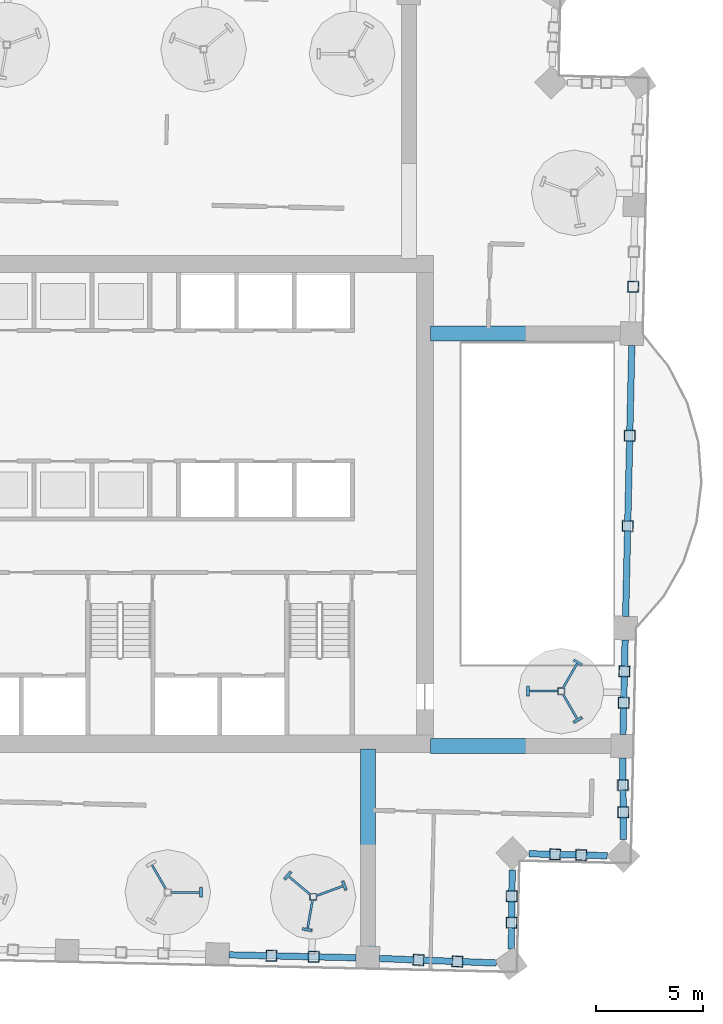
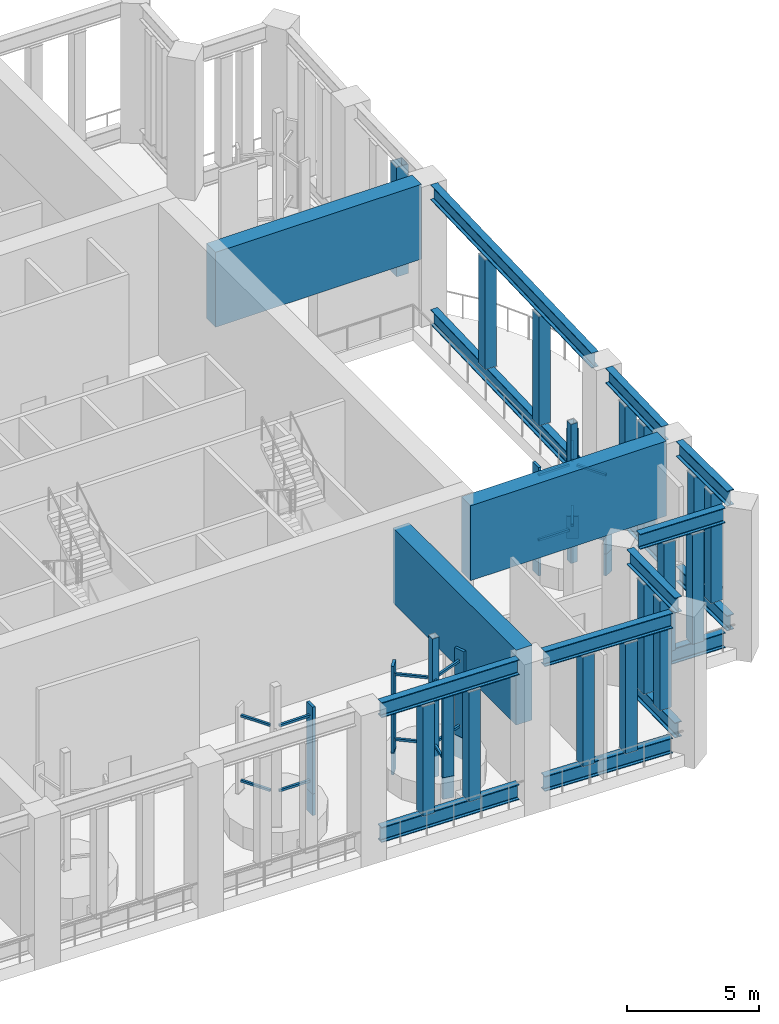
# One storey, part 4 of 33: 61 members, 3 beams.
"""IFC4 building model written with IfcOpenShell, lengths in metres."""

from ifc_helpers import new_model, si_unit, direction, frame, origin, origin_2d, place, context, subcontext, project, spatial, rectangle, hollow_rectangle, i_section, extrude, material, material_profile, profile_set, type_object, element, save


model = new_model("IFC4")

# Units and contexts
model_context = context("Model", 3, precision=1e-05, world=origin(), true_north=direction((0.0, 1.0)))
body_context = subcontext(model_context, "Body", "Model", "MODEL_VIEW")
ifc_project = project(units=[si_unit("LENGTHUNIT", "METRE"), si_unit("AREAUNIT", "SQUARE_METRE"), si_unit("VOLUMEUNIT", "CUBIC_METRE"), si_unit("PLANEANGLEUNIT", "RADIAN"), si_unit("MASSUNIT", "GRAM", prefix="KILO")], contexts=[model_context])

# Site, building, storey
site_placement = place(None, origin())
site = spatial("IfcSite", under=ifc_project, at=site_placement, CompositionType="ELEMENT")
building_placement = place(site_placement, origin())
building = spatial("IfcBuilding", under=site, at=building_placement, Name="Mangrove Gate Tower", CompositionType="ELEMENT")
storey_placement = place(building_placement, frame((0.0, 0.0, 219.5)))
storey = spatial("IfcBuildingStorey", under=building, at=storey_placement, Name="L56", CompositionType="ELEMENT", Elevation=219.5)

# Members
ifc_material_1 = material(Name="Steel S355J2", Category="steel")
ifc_material_profile_1 = material_profile(ifc_material_1, i_section(OverallWidth=0.300048828125, OverallDepth=0.699951171875, WebThickness=0.01708984375, FlangeThickness=0.031982421875, FilletRadius=0.027099609375, at=origin_2d()))
ifc_profile_set_1 = profile_set([ifc_material_profile_1], Name="Steel S355J2")
member_type_1 = type_object("IfcMemberType", Name="Belt truss chord HE 700 B", PredefinedType="CHORD", material=ifc_profile_set_1)
for number, where, z_axis, x_axis, name in (
    (1, (5.060302734375, -21.056640625, 0.35009765625), (0.999740258675, -0.022790681963, 0.0), (0.022790681963, 0.999740258675, 0.0), "Belt truss bottom chord L56 08"),
    (2, (5.060302734375, -21.056640625, 6.10009765625), (0.999740258675, -0.022790681963, 0.0), (0.022790681963, 0.999740258675, 0.0), "Belt truss top chord L56 08"),
):
    element("IfcMember", number, at=place(storey_placement, frame(where, z_axis=z_axis, x_axis=x_axis)), inside=storey, type_object=member_type_1, Name=name, PredefinedType="CHORD", context=body_context, shape_type="SweptSolid", body=[
        extrude(i_section(OverallWidth=0.300048828125, OverallDepth=0.699951171875, WebThickness=0.01708984375, FlangeThickness=0.031982421875, FilletRadius=0.027099609375, at=origin_2d()), origin(), (0.0, 0.0, 1.0), 5.923828125),
    ])
for number, where, z_axis, x_axis, name in (
    (3, (12.08203125, -21.225341796875, 0.35009765625), (0.999248829051, -0.038752775905, 0.0), (0.038752775905, 0.999248829051, 0.0), "Belt truss bottom chord L56 09"),
    (4, (12.08203125, -21.225341796875, 6.10009765625), (0.999248829051, -0.038752775905, 0.0), (0.038752775905, 0.999248829051, 0.0), "Belt truss top chord L56 09"),
):
    element("IfcMember", number, at=place(storey_placement, frame(where, z_axis=z_axis, x_axis=x_axis)), inside=storey, type_object=member_type_1, Name=name, PredefinedType="CHORD", context=body_context, shape_type="SweptSolid", body=[
        extrude(i_section(OverallWidth=0.300048828125, OverallDepth=0.699951171875, WebThickness=0.01708984375, FlangeThickness=0.031982421875, FilletRadius=0.027099609375, at=origin_2d()), origin(), (0.0, 0.0, 1.0), 5.455810546875),
    ])
for number, where, z_axis, x_axis, name in (
    (5, (18.233154296875, -20.785400390625, 0.35009765625), (0.010688225551, 0.999942879286, 0.0), (-0.999942879286, 0.010688225551, 0.0), "Belt truss bottom chord L56 10"),
    (6, (18.233154296875, -20.785400390625, 6.10009765625), (0.010688225551, 0.999942879286, 0.0), (-0.999942879286, 0.010688225551, 0.0), "Belt truss top chord L56 10"),
):
    element("IfcMember", number, at=place(storey_placement, frame(where, z_axis=z_axis, x_axis=x_axis)), inside=storey, type_object=member_type_1, Name=name, PredefinedType="CHORD", context=body_context, shape_type="SweptSolid", body=[
        extrude(i_section(OverallWidth=0.300048828125, OverallDepth=0.699951171875, WebThickness=0.01708984375, FlangeThickness=0.031982421875, FilletRadius=0.027099609375, at=origin_2d()), origin(), (0.0, 0.0, 1.0), 3.700439453125),
    ])
for number, where, z_axis, x_axis, name in (
    (7, (19.056640625, -16.335693359375, 0.35009765625), (0.999690059684, -0.024895472844, 0.0), (0.024895472844, 0.999690059684, 0.0), "Belt truss bottom chord L56 11"),
    (8, (19.056640625, -16.335693359375, 6.10009765625), (0.999690059684, -0.024895472844, 0.0), (0.024895472844, 0.999690059684, 0.0), "Belt truss top chord L56 11"),
):
    element("IfcMember", number, at=place(storey_placement, frame(where, z_axis=z_axis, x_axis=x_axis)), inside=storey, type_object=member_type_1, Name=name, PredefinedType="CHORD", context=body_context, shape_type="SweptSolid", body=[
        extrude(i_section(OverallWidth=0.300048828125, OverallDepth=0.699951171875, WebThickness=0.01708984375, FlangeThickness=0.031982421875, FilletRadius=0.027099609375, at=origin_2d()), origin(), (0.0, 0.0, 1.0), 3.657958984375),
    ])
for number, where, z_axis, x_axis, name in (
    (9, (23.46240234375, -15.66796875, 0.35009765625), (-0.006472978533, 0.999979050055, 0.0), (-0.999979050055, -0.006472978533, 0.0), "Belt truss bottom chord L56 12"),
    (10, (23.46240234375, -15.66796875, 6.10009765625), (-0.006472978533, 0.999979050055, 0.0), (-0.999979050055, -0.006472978533, 0.0), "Belt truss top chord L56 12"),
):
    element("IfcMember", number, at=place(storey_placement, frame(where, z_axis=z_axis, x_axis=x_axis)), inside=storey, type_object=member_type_1, Name=name, PredefinedType="CHORD", context=body_context, shape_type="SweptSolid", body=[
        extrude(i_section(OverallWidth=0.300048828125, OverallDepth=0.699951171875, WebThickness=0.01708984375, FlangeThickness=0.031982421875, FilletRadius=0.027099609375, at=origin_2d()), origin(), (0.0, 0.0, 1.0), 3.809326171875),
    ])
for number, where, z_axis, x_axis, name in (
    (11, (23.446533203125, -10.7587890625, 0.35009765625), (0.022689977593, 0.999742549318, 0.0), (-0.999742549318, 0.022689977593, 0.0), "Belt truss bottom chord L56 13"),
    (12, (23.446533203125, -10.7587890625, 6.10009765625), (0.022689977593, 0.999742549318, 0.0), (-0.999742549318, 0.022689977593, 0.0), "Belt truss top chord L56 13"),
):
    element("IfcMember", number, at=place(storey_placement, frame(where, z_axis=z_axis, x_axis=x_axis)), inside=storey, type_object=member_type_1, Name=name, PredefinedType="CHORD", context=body_context, shape_type="SweptSolid", body=[
        extrude(i_section(OverallWidth=0.300048828125, OverallDepth=0.699951171875, WebThickness=0.01708984375, FlangeThickness=0.031982421875, FilletRadius=0.027099609375, at=origin_2d()), origin(), (0.0, 0.0, 1.0), 4.41162109375),
    ])
for number, where, z_axis, x_axis, name in (
    (13, (23.571533203125, -5.248779296875, 0.35009765625), (0.022693351373, 0.999742472742, 0.0), (-0.999742472742, 0.022693351373, 0.0), "Belt truss bottom chord L56 14"),
    (14, (23.571533203125, -5.248779296875, 6.10009765625), (0.022693351373, 0.999742472742, 0.0), (-0.999742472742, 0.022693351373, 0.0), "Belt truss top chord L56 14"),
):
    element("IfcMember", number, at=place(storey_placement, frame(where, z_axis=z_axis, x_axis=x_axis)), inside=storey, type_object=member_type_1, Name=name, PredefinedType="CHORD", context=body_context, shape_type="SweptSolid", body=[
        extrude(i_section(OverallWidth=0.300048828125, OverallDepth=0.699951171875, WebThickness=0.01708984375, FlangeThickness=0.031982421875, FilletRadius=0.027099609375, at=origin_2d()), origin(), (0.0, 0.0, 1.0), 12.651611328125),
    ])
ifc_material_2 = material(Name="Steel S355J2H", Category="steel")
ifc_material_profile_2 = material_profile(ifc_material_2, hollow_rectangle(XDim=0.5, YDim=0.5, WallThickness=0.02001953125, at=origin_2d()))
ifc_profile_set_2 = profile_set([ifc_material_profile_2], Name="Steel S355J2H")
member_type_2 = type_object("IfcMemberType", Name="Belt truss post SHS 500x500x20", PredefinedType="POST", material=ifc_profile_set_2)
for number, where, z_axis, x_axis, name in (
    (15, (7.034423828125, -21.1015625, 0.699951171875), (0.0, 0.0, 1.0), (0.999740510785, -0.02277962018, 0.0), "Belt truss post L56 08-1"),
    (16, (9.008544921875, -21.146728515625, 0.699951171875), (0.0, 0.0, 1.0), (0.999740510785, -0.02277962018, 0.0), "Belt truss post L56 08-2"),
    (17, (13.8994140625, -21.2958984375, 0.699951171875), (0.0, 0.0, 1.0), (0.999249271078, -0.038741376474, 0.0), "Belt truss post L56 09-1"),
    (18, (15.716552734375, -21.366455078125, 0.699951171875), (0.0, 0.0, 1.0), (0.999249271078, -0.038741376474, 0.0), "Belt truss post L56 09-2"),
    (19, (18.246337890625, -19.552001953125, 0.699951171875), (0.0, 0.0, 1.0), (0.010708995964, 0.999942657059, 0.0), "Belt truss post L56 10-1"),
    (20, (18.259521484375, -18.318603515625, 0.699951171875), (0.0, 0.0, 1.0), (0.010708995964, 0.999942657059, 0.0), "Belt truss post L56 10-2"),
    (21, (20.275634765625, -16.3662109375, 0.699951171875), (0.0, 0.0, 1.0), (0.999689696724, -0.024910043428, 0.0), "Belt truss post L56 11-1"),
    (22, (21.494384765625, -16.396484375, 0.699951171875), (0.0, 0.0, 1.0), (0.999689696724, -0.024910043428, 0.0), "Belt truss post L56 11-2"),
    (23, (23.454345703125, -14.398193359375, 0.699951171875), (0.0, 0.0, 1.0), (-0.006505075496, 0.999978841773, 0.0), "Belt truss post L56 12-1"),
    (24, (23.446044921875, -13.12841796875, 0.699951171875), (0.0, 0.0, 1.0), (-0.006505075496, 0.999978841773, 0.0), "Belt truss post L56 12-2"),
    (25, (23.47998046875, -9.28857421875, 0.699951171875), (0.0, 0.0, 1.0), (0.022680354052, 0.999742767686, 0.0), "Belt truss post L56 13-1"),
    (26, (23.513427734375, -7.818359375, 0.699951171875), (0.0, 0.0, 1.0), (0.022680354052, 0.999742767686, 0.0), "Belt truss post L56 13-2"),
    (27, (23.667236328125, -1.032470703125, 0.699951171875), (0.0, 0.0, 1.0), (0.022688345603, 0.999742586356, 0.0), "Belt truss post L56 14-1"),
    (28, (23.762939453125, 3.18359375, 0.699951171875), (0.0, 0.0, 1.0), (0.022688345603, 0.999742586356, 0.0), "Belt truss post L56 14-2"),
    (29, (23.9208984375, 10.13623046875, 0.699951171875), (0.0, 0.0, 1.0), (0.022789461282, 0.999740286502, 0.0), "Belt truss post L56 15-1"),
):
    element("IfcMember", number, at=place(storey_placement, frame(where, z_axis=z_axis, x_axis=x_axis)), inside=storey, type_object=member_type_2, Name=name, PredefinedType="POST", context=body_context, shape_type="SweptSolid", body=[
        extrude(hollow_rectangle(XDim=0.5, YDim=0.5, WallThickness=0.02001953125, at=origin_2d()), origin(), (0.0, 0.0, 1.0), 5.050048828125),
    ])

# Beams
ifc_material_3 = material(Name="Concrete C60/75", Category="concrete")
ifc_material_profile_3 = material_profile(ifc_material_3, rectangle(XDim=0.699951171875, YDim=3.449951171875, at=origin_2d()))
ifc_profile_set_3 = profile_set([ifc_material_profile_3], Name="Concrete C60/75")
beam_type = type_object("IfcBeamType", Name="Outrigger coupling beam RC 700x3450 C60/75", PredefinedType="BEAM", material=ifc_profile_set_3)
beam_1_placement = place(storey_placement, frame((14.449951171875, 7.949462890625, 4.72509765625), z_axis=(1.0, 0.0, 0.0), x_axis=(0.0, 1.0, 0.0)))
element("IfcBeam", 30, at=beam_1_placement, inside=storey, type_object=beam_type, Name="Outrigger coupling beam L56 OR1", PredefinedType="BEAM", context=body_context, shape_type="SweptSolid", body=[
    extrude(rectangle(XDim=0.699951171875, YDim=3.449951171875, at=origin_2d()), origin(), (0.0, 0.0, 1.0), 8.970947265625),
])
beam_2_placement = place(storey_placement, frame((11.532470703125, -11.449951171875, 4.72509765625), z_axis=(0.0, -1.0, 0.0), x_axis=(1.0, 0.0, 0.0)))
element("IfcBeam", 31, at=beam_2_placement, inside=storey, type_object=beam_type, Name="Outrigger coupling beam L56 OR4", PredefinedType="BEAM", context=body_context, shape_type="SweptSolid", body=[
    extrude(rectangle(XDim=0.699951171875, YDim=3.449951171875, at=origin_2d()), origin(), (0.0, 0.0, 1.0), 9.303955078125),
])
beam_3_placement = place(storey_placement, frame((14.449951171875, -11.30859375, 4.72509765625), z_axis=(1.0, 0.0, 0.0), x_axis=(0.0, 1.0, 0.0)))
element("IfcBeam", 32, at=beam_3_placement, inside=storey, type_object=beam_type, Name="Outrigger coupling beam L56 OR5", PredefinedType="BEAM", context=body_context, shape_type="SweptSolid", body=[
    extrude(rectangle(XDim=0.699951171875, YDim=3.449951171875, at=origin_2d()), origin(), (0.0, 0.0, 1.0), 8.533935546875),
])

# Members
ifc_material_4 = material(Name="Steel S355J2H", Category="steel")
ifc_material_profile_4 = material_profile(ifc_material_4, rectangle(XDim=0.449951171875, YDim=0.1201171875, at=origin_2d()))
ifc_profile_set_4 = profile_set([ifc_material_profile_4], Name="Steel S355J2H")
member_type_3 = type_object("IfcMemberType", Name="Turbine fin seat 450x120", PredefinedType="USERDEFINED", material=ifc_profile_set_4)
for number, where, z_axis, x_axis, name in (
    (33, (3.7451171875, -18.14111328125, 0.0), (0.0, 0.0, 1.0), (0.0, 1.0, 0.0), "TURBINE FIN SEAT L56 7.1"),
    (34, (10.43603515625, -17.822021484375, 0.0), (0.0, 0.0, 1.0), (-0.342020143326, 0.939692620786, 0.0), "TURBINE FIN SEAT L56 8.1"),
    (35, (7.7919921875, -17.35595703125, 0.0), (0.0, 0.0, 1.0), (-0.642787609687, -0.766044443119, 0.0), "TURBINE FIN SEAT L56 8.2"),
    (36, (8.7099609375, -19.8779296875, 0.0), (0.0, 0.0, 1.0), (0.984807753012, -0.173648177667, 0.0), "TURBINE FIN SEAT L56 8.3"),
    (37, (21.3369140625, -7.402099609375, 0.0), (0.0, 0.0, 1.0), (-0.866025403784, 0.5, 0.0), "TURBINE FIN SEAT L56 10.1"),
    (38, (19.011962890625, -8.743896484375, 0.0), (0.0, 0.0, 1.0), (0.0, -1.0, 0.0), "TURBINE FIN SEAT L56 10.2"),
    (39, (21.3369140625, -10.0859375, 0.0), (0.0, 0.0, 1.0), (0.866025403784, 0.5, 0.0), "TURBINE FIN SEAT L56 10.3"),
):
    element("IfcMember", number, at=place(storey_placement, frame(where, z_axis=z_axis, x_axis=x_axis)), inside=storey, type_object=member_type_3, Name=name, ObjectType="TURBINE FIN SEAT", PredefinedType="USERDEFINED", context=body_context, shape_type="SweptSolid", body=[
        extrude(rectangle(XDim=0.449951171875, YDim=0.1201171875, at=origin_2d()), origin(), (0.0, 0.0, 1.0), 1.0),
    ])
ifc_material_5 = material(Name="Steel S355J2H", Category="steel")
ifc_material_profile_5 = material_profile(ifc_material_5, hollow_rectangle(XDim=0.10009765625, YDim=0.10009765625, WallThickness=0.008056640625, at=origin_2d()))
ifc_profile_set_5 = profile_set([ifc_material_profile_5], Name="Steel S355J2H")
member_type_4 = type_object("IfcMemberType", Name="Turbine hub arm RHS 100x100x8", PredefinedType="STRUT", material=ifc_profile_set_5)
for number, where, z_axis, x_axis, name in (
    (40, (2.35302734375, -18.14111328125, 1.5), (1.0, 0.0, 0.0), (0.0, 1.0, 0.0), "TURBINE ARM L56 7.1.1"),
    (41, (2.35302734375, -18.14111328125, 4.5), (1.0, 0.0, 0.0), (0.0, 1.0, 0.0), "TURBINE ARM L56 7.1.2"),
):
    element("IfcMember", number, at=place(storey_placement, frame(where, z_axis=z_axis, x_axis=x_axis)), inside=storey, type_object=member_type_4, Name=name, PredefinedType="STRUT", context=body_context, shape_type="SweptSolid", body=[
        extrude(hollow_rectangle(XDim=0.10009765625, YDim=0.10009765625, WallThickness=0.008056640625, at=origin_2d()), origin(), (0.0, 0.0, 1.0), 1.323974609375),
    ])
for number, where, z_axis, x_axis, name in (
    (42, (2.089111328125, -17.9580078125, 1.5), (-0.499922110319, 0.866070368743, 0.0), (-0.866070368743, -0.499922110319, 0.0), "TURBINE ARM L56 7.2.1"),
    (43, (2.089111328125, -17.9580078125, 4.5), (-0.499922110319, 0.866070368743, 0.0), (-0.866070368743, -0.499922110319, 0.0), "TURBINE ARM L56 7.2.2"),
):
    element("IfcMember", number, at=place(storey_placement, frame(where, z_axis=z_axis, x_axis=x_axis)), inside=storey, type_object=member_type_4, Name=name, PredefinedType="STRUT", context=body_context, shape_type="SweptSolid", body=[
        extrude(hollow_rectangle(XDim=0.10009765625, YDim=0.10009765625, WallThickness=0.008056640625, at=origin_2d()), origin(), (0.0, 0.0, 1.0), 1.270263671875),
    ])
for number, where, z_axis, x_axis, name in (
    (44, (9.155029296875, -18.2880859375, 1.5), (0.939655758532, 0.342121404561, 0.0), (-0.342121404561, 0.939655758532, 0.0), "TURBINE ARM L56 8.1.1"),
    (45, (9.155029296875, -18.2880859375, 4.5), (0.939655758532, 0.342121404561, 0.0), (-0.342121404561, 0.939655758532, 0.0), "TURBINE ARM L56 8.1.2"),
):
    element("IfcMember", number, at=place(storey_placement, frame(where, z_axis=z_axis, x_axis=x_axis)), inside=storey, type_object=member_type_4, Name=name, PredefinedType="STRUT", context=body_context, shape_type="SweptSolid", body=[
        extrude(hollow_rectangle(XDim=0.10009765625, YDim=0.10009765625, WallThickness=0.008056640625, at=origin_2d()), origin(), (0.0, 0.0, 1.0), 1.295166015625),
    ])
for number, where, z_axis, x_axis, name in (
    (46, (8.81591796875, -18.215087890625, 1.5), (-0.765803384004, 0.643074783402, 0.0), (-0.643074783402, -0.765803384004, 0.0), "TURBINE ARM L56 8.2.1"),
    (47, (8.81591796875, -18.215087890625, 4.5), (-0.765803384004, 0.643074783402, 0.0), (-0.643074783402, -0.765803384004, 0.0), "TURBINE ARM L56 8.2.2"),
):
    element("IfcMember", number, at=place(storey_placement, frame(where, z_axis=z_axis, x_axis=x_axis)), inside=storey, type_object=member_type_4, Name=name, PredefinedType="STRUT", context=body_context, shape_type="SweptSolid", body=[
        extrude(hollow_rectangle(XDim=0.10009765625, YDim=0.10009765625, WallThickness=0.008056640625, at=origin_2d()), origin(), (0.0, 0.0, 1.0), 1.26904296875),
    ])
for number, where, z_axis, x_axis, name in (
    (48, (8.948974609375, -18.51904296875, 1.5), (-0.173084557887, -0.984906968105, 0.0), (0.984906968105, -0.173084557887, 0.0), "TURBINE ARM L56 8.3.1"),
    (49, (8.948974609375, -18.51904296875, 4.5), (-0.173084557887, -0.984906968105, 0.0), (0.984906968105, -0.173084557887, 0.0), "TURBINE ARM L56 8.3.2"),
):
    element("IfcMember", number, at=place(storey_placement, frame(where, z_axis=z_axis, x_axis=x_axis)), inside=storey, type_object=member_type_4, Name=name, PredefinedType="STRUT", context=body_context, shape_type="SweptSolid", body=[
        extrude(hollow_rectangle(XDim=0.10009765625, YDim=0.10009765625, WallThickness=0.008056640625, at=origin_2d()), origin(), (0.0, 0.0, 1.0), 1.311767578125),
    ])
for number, where, z_axis, x_axis, name in (
    (50, (20.66796875, -8.56103515625, 1.5), (0.499922110319, 0.866070368743, 0.0), (-0.866070368743, 0.499922110319, 0.0), "TURBINE ARM L56 10.1.1"),
    (51, (20.66796875, -8.56103515625, 4.5), (0.499922110319, 0.866070368743, 0.0), (-0.866070368743, 0.499922110319, 0.0), "TURBINE ARM L56 10.1.2"),
):
    element("IfcMember", number, at=place(storey_placement, frame(where, z_axis=z_axis, x_axis=x_axis)), inside=storey, type_object=member_type_4, Name=name, PredefinedType="STRUT", context=body_context, shape_type="SweptSolid", body=[
        extrude(hollow_rectangle(XDim=0.10009765625, YDim=0.10009765625, WallThickness=0.008056640625, at=origin_2d()), origin(), (0.0, 0.0, 1.0), 1.270263671875),
    ])
for number, where, z_axis, x_axis, name in (
    (52, (20.404052734375, -8.743896484375, 1.5), (-1.0, 0.0, 0.0), (0.0, -1.0, 0.0), "TURBINE ARM L56 10.2.1"),
    (53, (20.404052734375, -8.743896484375, 4.5), (-1.0, 0.0, 0.0), (0.0, -1.0, 0.0), "TURBINE ARM L56 10.2.2"),
):
    element("IfcMember", number, at=place(storey_placement, frame(where, z_axis=z_axis, x_axis=x_axis)), inside=storey, type_object=member_type_4, Name=name, PredefinedType="STRUT", context=body_context, shape_type="SweptSolid", body=[
        extrude(hollow_rectangle(XDim=0.10009765625, YDim=0.10009765625, WallThickness=0.008056640625, at=origin_2d()), origin(), (0.0, 0.0, 1.0), 1.323974609375),
    ])
for number, where, z_axis, x_axis, name in (
    (54, (20.66796875, -8.927001953125, 1.5), (0.499922110319, -0.866070368743, 0.0), (0.866070368743, 0.499922110319, 0.0), "TURBINE ARM L56 10.3.1"),
    (55, (20.66796875, -8.927001953125, 4.5), (0.499922110319, -0.866070368743, 0.0), (0.866070368743, 0.499922110319, 0.0), "TURBINE ARM L56 10.3.2"),
):
    element("IfcMember", number, at=place(storey_placement, frame(where, z_axis=z_axis, x_axis=x_axis)), inside=storey, type_object=member_type_4, Name=name, PredefinedType="STRUT", context=body_context, shape_type="SweptSolid", body=[
        extrude(hollow_rectangle(XDim=0.10009765625, YDim=0.10009765625, WallThickness=0.008056640625, at=origin_2d()), origin(), (0.0, 0.0, 1.0), 1.270263671875),
    ])
ifc_material_6 = material(Name="Steel S355J2H", Category="steel")
ifc_material_profile_6 = material_profile(ifc_material_6, hollow_rectangle(XDim=0.300048828125, YDim=0.300048828125, WallThickness=0.011962890625, at=origin_2d()))
ifc_profile_set_6 = profile_set([ifc_material_profile_6], Name="Steel S355J2H")
member_type_5 = type_object("IfcMemberType", Name="Turbine mast RHS 300x300x12", PredefinedType="USERDEFINED", material=ifc_profile_set_6)
for number, where, z_axis, x_axis, name in (
    (56, (8.97900390625, -18.35205078125, 0.02001953125), (0.0, 0.0, 1.0), (1.0, 0.0, 0.0), "TURBINE MAST L56 8"),
    (57, (20.56201171875, -8.743896484375, 0.02001953125), (0.0, 0.0, 1.0), (1.0, 0.0, 0.0), "TURBINE MAST L56 10"),
):
    element("IfcMember", number, at=place(storey_placement, frame(where, z_axis=z_axis, x_axis=x_axis)), inside=storey, type_object=member_type_5, Name=name, ObjectType="TURBINE MAST", PredefinedType="USERDEFINED", context=body_context, shape_type="SweptSolid", body=[
        extrude(hollow_rectangle(XDim=0.300048828125, YDim=0.300048828125, WallThickness=0.011962890625, at=origin_2d()), origin(), (0.0, 0.0, 1.0), 6.409912109375),
    ])
ifc_material_7 = material(Name="Aluminium alloy 6063-T6", Category="aluminium")
ifc_material_profile_7 = material_profile(ifc_material_7, rectangle(XDim=0.449951171875, YDim=0.1201171875, at=origin_2d()))
ifc_profile_set_7 = profile_set([ifc_material_profile_7], Name="Aluminium alloy 6063-T6")
member_type_6 = type_object("IfcMemberType", Name="Turbine rotor fin 450x120", PredefinedType="PLATE", material=ifc_profile_set_7)
for number, where, z_axis, x_axis, name in (
    (58, (3.7451171875, -18.14111328125, 1.0), (0.0, 0.0, 1.0), (0.0, 1.0, 0.0), "TURBINE FIN L56 7.1"),
    (59, (10.43603515625, -17.822021484375, 1.0), (0.0, 0.0, 1.0), (-0.342020143326, 0.939692620786, 0.0), "TURBINE FIN L56 8.1"),
    (60, (7.7919921875, -17.35595703125, 1.0), (0.0, 0.0, 1.0), (-0.642787609687, -0.766044443119, 0.0), "TURBINE FIN L56 8.2"),
    (61, (8.7099609375, -19.8779296875, 1.0), (0.0, 0.0, 1.0), (0.984807753012, -0.173648177667, 0.0), "TURBINE FIN L56 8.3"),
    (62, (21.3369140625, -7.402099609375, 1.0), (0.0, 0.0, 1.0), (-0.866025403784, 0.5, 0.0), "TURBINE FIN L56 10.1"),
    (63, (19.011962890625, -8.743896484375, 1.0), (0.0, 0.0, 1.0), (0.0, -1.0, 0.0), "TURBINE FIN L56 10.2"),
    (64, (21.3369140625, -10.0859375, 1.0), (0.0, 0.0, 1.0), (0.866025403784, 0.5, 0.0), "TURBINE FIN L56 10.3"),
):
    element("IfcMember", number, at=place(storey_placement, frame(where, z_axis=z_axis, x_axis=x_axis)), inside=storey, type_object=member_type_6, Name=name, PredefinedType="PLATE", context=body_context, shape_type="SweptSolid", body=[
        extrude(rectangle(XDim=0.449951171875, YDim=0.1201171875, at=origin_2d()), origin(), (0.0, 0.0, 1.0), 4.0),
    ])

save(model, "model.ifc")
